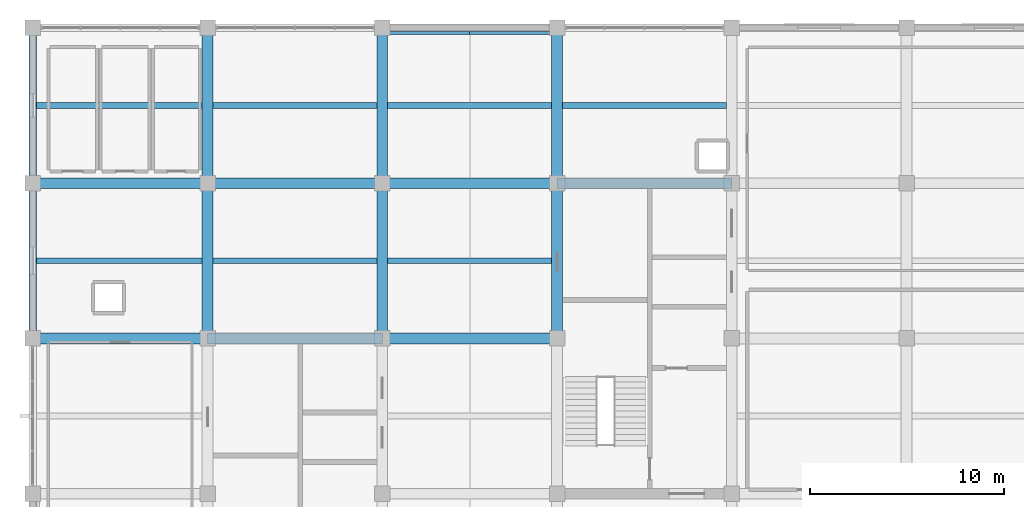
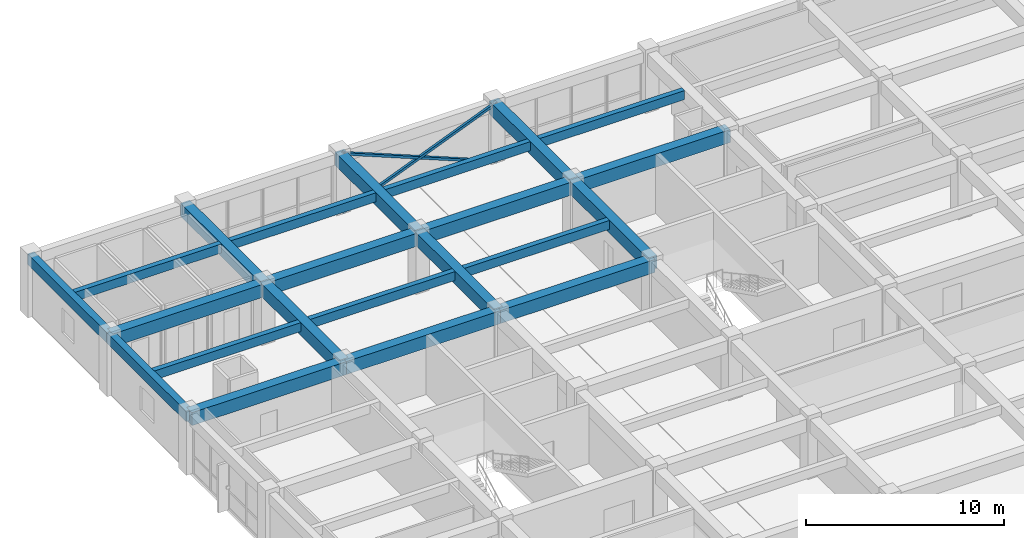
# One storey, part 8 of 17: 22 beams, 2 members.
"""IFC4 building model written with IfcOpenShell, lengths in metres."""

from ifc_helpers import new_model, si_unit, direction, frame, origin, origin_2d, place, context, subcontext, project, spatial, rectangle, hollow_rectangle, extrude, material, material_profile, profile_set, type_object, element, save


model = new_model("IFC4")

# Units and contexts
model_context = context("Model", 3, precision=1e-05, world=origin(), true_north=direction((0.0, 1.0)))
body_context = subcontext(model_context, "Body", "Model", "MODEL_VIEW")
ifc_project = project(units=[si_unit("LENGTHUNIT", "METRE"), si_unit("AREAUNIT", "SQUARE_METRE"), si_unit("VOLUMEUNIT", "CUBIC_METRE"), si_unit("PLANEANGLEUNIT", "RADIAN"), si_unit("MASSUNIT", "GRAM", prefix="KILO")], contexts=[model_context])

# Site, building, storey
site_placement = place(None, origin())
site = spatial("IfcSite", under=ifc_project, at=site_placement, CompositionType="ELEMENT")
building_placement = place(site_placement, origin())
building = spatial("IfcBuilding", under=site, at=building_placement, Name="Zaverband Oceanarium and Marine Research Institute", CompositionType="ELEMENT")
storey_placement = place(building_placement, frame((0.0, 0.0, 33.60009765625)))
storey = spatial("IfcBuildingStorey", under=building, at=storey_placement, Name="L08", CompositionType="ELEMENT", Elevation=33.60009765625)

# Beams
ifc_material_1 = material(Name="Concrete C40/50", Category="concrete")
ifc_material_profile_1 = material_profile(ifc_material_1, rectangle(XDim=0.550048828125, YDim=0.800048828125, at=origin_2d()), Name="RC550x800")
ifc_profile_set_1 = profile_set([ifc_material_profile_1], Name="Concrete C40/50")
beam_type_1 = type_object("IfcBeamType", Name="BM-550x800", PredefinedType="BEAM", material=ifc_profile_set_1)
for number, where, z_axis, x_axis, name in (
    (1, (9.0, 96.0, 3.25), (1.0, 0.0, 0.0), (0.0, 1.0, 0.0), "Primary floor girder BM-550x800"),
    (2, (18.0, 96.0, 3.25), (1.0, 0.0, 0.0), (0.0, 1.0, 0.0), "Primary floor girder BM-550x800"),
    (3, (27.0, 96.0, 3.25), (1.0, 0.0, 0.0), (0.0, 1.0, 0.0), "Primary floor girder BM-550x800"),
    (4, (9.0, 104.0, 3.25), (1.0, 0.0, 0.0), (0.0, 1.0, 0.0), "Primary floor girder BM-550x800"),
    (5, (18.0, 104.0, 3.25), (1.0, 0.0, 0.0), (0.0, 1.0, 0.0), "Primary floor girder BM-550x800"),
    (6, (27.0, 104.0, 3.25), (1.0, 0.0, 0.0), (0.0, 1.0, 0.0), "Primary floor girder BM-550x800"),
    (7, (36.0, 104.0, 3.25), (1.0, 0.0, 0.0), (0.0, 1.0, 0.0), "Primary floor girder BM-550x800"),
):
    element("IfcBeam", number, at=place(storey_placement, frame(where, z_axis=z_axis, x_axis=x_axis)), inside=storey, type_object=beam_type_1, Name=name, PredefinedType="BEAM", context=body_context, shape_type="SweptSolid", body=[
        extrude(rectangle(XDim=0.550048828125, YDim=0.800048828125, at=origin_2d()), origin(), (0.0, 0.0, 1.0), 9.0),
    ])
for number, where, z_axis, x_axis, name in (
    (8, (18.0, 96.0, 3.25), (0.0, 1.0, 0.0), (-1.0, 0.0, 0.0), "Primary floor girder BM-550x800"),
    (9, (18.0, 104.0, 3.25), (0.0, 1.0, 0.0), (-1.0, 0.0, 0.0), "Primary floor girder BM-550x800"),
    (10, (27.0, 96.0, 3.25), (0.0, 1.0, 0.0), (-1.0, 0.0, 0.0), "Primary floor girder BM-550x800"),
    (11, (27.0, 104.0, 3.25), (0.0, 1.0, 0.0), (-1.0, 0.0, 0.0), "Primary floor girder BM-550x800"),
    (12, (36.0, 96.0, 3.25), (0.0, 1.0, 0.0), (-1.0, 0.0, 0.0), "Primary floor girder BM-550x800"),
    (13, (36.0, 104.0, 3.25), (0.0, 1.0, 0.0), (-1.0, 0.0, 0.0), "Primary floor girder BM-550x800"),
):
    element("IfcBeam", number, at=place(storey_placement, frame(where, z_axis=z_axis, x_axis=x_axis)), inside=storey, type_object=beam_type_1, Name=name, PredefinedType="BEAM", context=body_context, shape_type="SweptSolid", body=[
        extrude(rectangle(XDim=0.550048828125, YDim=0.800048828125, at=origin_2d()), origin(), (0.0, 0.0, 1.0), 8.0),
    ])

# Members
ifc_material_2 = material(Name="Steel S355", Category="steel")
ifc_material_profile_2 = material_profile(ifc_material_2, hollow_rectangle(XDim=0.14990234375, YDim=0.14990234375, WallThickness=0.008056640625, at=origin_2d()), Name="SHS150x150x8")
ifc_profile_set_2 = profile_set([ifc_material_profile_2], Name="Steel S355")
member_type = type_object("IfcMemberType", Name="BR-04", PredefinedType="BRACE", material=ifc_profile_set_2)
for number, where, z_axis, x_axis, name in (
    (14, (27.0, 111.719970703125, 0.0), (0.92669431564, 0.0, 0.375815972733), (0.0, 1.0, 0.0), "Diagonal lateral brace BR-04"),
    (15, (36.0, 111.719970703125, 0.0), (-0.92669431564, 0.0, 0.375815972733), (0.0, -1.0, 0.0), "Diagonal lateral brace BR-04"),
):
    element("IfcMember", number, at=place(storey_placement, frame(where, z_axis=z_axis, x_axis=x_axis)), inside=storey, type_object=member_type, Name=name, PredefinedType="BRACE", context=body_context, shape_type="SweptSolid", body=[
        extrude(hollow_rectangle(XDim=0.14990234375, YDim=0.14990234375, WallThickness=0.008056640625, at=origin_2d()), origin(), (0.0, 0.0, 1.0), 9.7119140625),
    ])

# Beams
ifc_material_profile_3 = material_profile(ifc_material_1, rectangle(XDim=0.300048828125, YDim=0.550048828125, at=origin_2d()), Name="RC300x550")
ifc_profile_set_3 = profile_set([ifc_material_profile_3], Name="Concrete C40/50")
beam_type_2 = type_object("IfcBeamType", Name="JST-300x550", PredefinedType="JOIST", material=ifc_profile_set_3)
for number, where, z_axis, x_axis, name in (
    (16, (9.199951171875, 100.0, 3.375), (1.0, 0.0, 0.0), (0.0, 1.0, 0.0), "Secondary floor joist JST-300x550"),
    (17, (9.199951171875, 108.0, 3.375), (1.0, 0.0, 0.0), (0.0, 1.0, 0.0), "Secondary floor joist JST-300x550"),
):
    element("IfcBeam", number, at=place(storey_placement, frame(where, z_axis=z_axis, x_axis=x_axis)), inside=storey, type_object=beam_type_2, Name=name, PredefinedType="JOIST", context=body_context, shape_type="SweptSolid", body=[
        extrude(rectangle(XDim=0.300048828125, YDim=0.550048828125, at=origin_2d()), origin(), (0.0, 0.0, 1.0), 8.525146484375),
    ])
for number, where, z_axis, x_axis, name in (
    (18, (18.27490234375, 100.0, 3.375), (1.0, 0.0, 0.0), (0.0, 1.0, 0.0), "Secondary floor joist JST-300x550"),
    (19, (18.27490234375, 108.0, 3.375), (1.0, 0.0, 0.0), (0.0, 1.0, 0.0), "Secondary floor joist JST-300x550"),
    (20, (27.27490234375, 100.0, 3.375), (1.0, 0.0, 0.0), (0.0, 1.0, 0.0), "Secondary floor joist JST-300x550"),
    (21, (27.27490234375, 108.0, 3.375), (1.0, 0.0, 0.0), (0.0, 1.0, 0.0), "Secondary floor joist JST-300x550"),
    (22, (36.27490234375, 108.0, 3.375), (1.0, 0.0, 0.0), (0.0, 1.0, 0.0), "Secondary floor joist JST-300x550"),
):
    element("IfcBeam", number, at=place(storey_placement, frame(where, z_axis=z_axis, x_axis=x_axis)), inside=storey, type_object=beam_type_2, Name=name, PredefinedType="JOIST", context=body_context, shape_type="SweptSolid", body=[
        extrude(rectangle(XDim=0.300048828125, YDim=0.550048828125, at=origin_2d()), origin(), (0.0, 0.0, 1.0), 8.4501953125),
    ])
ifc_material_profile_4 = material_profile(ifc_material_1, rectangle(XDim=0.39990234375, YDim=0.64990234375, at=origin_2d()), Name="RC400x650")
ifc_profile_set_4 = profile_set([ifc_material_profile_4], Name="Concrete C40/50")
beam_type_3 = type_object("IfcBeamType", Name="SPN-400x650", PredefinedType="SPANDREL", material=ifc_profile_set_4)
for number, where, z_axis, x_axis, name in (
    (23, (9.0, 96.0, 3.324951171875), (0.0, 1.0, 0.0), (-1.0, 0.0, 0.0), "Perimeter spandrel beam SPN-400x650"),
    (24, (9.0, 104.0, 3.324951171875), (0.0, 1.0, 0.0), (-1.0, 0.0, 0.0), "Perimeter spandrel beam SPN-400x650"),
):
    element("IfcBeam", number, at=place(storey_placement, frame(where, z_axis=z_axis, x_axis=x_axis)), inside=storey, type_object=beam_type_3, Name=name, PredefinedType="SPANDREL", context=body_context, shape_type="SweptSolid", body=[
        extrude(rectangle(XDim=0.39990234375, YDim=0.64990234375, at=origin_2d()), origin(), (0.0, 0.0, 1.0), 8.0),
    ])

save(model, "model.ifc")
